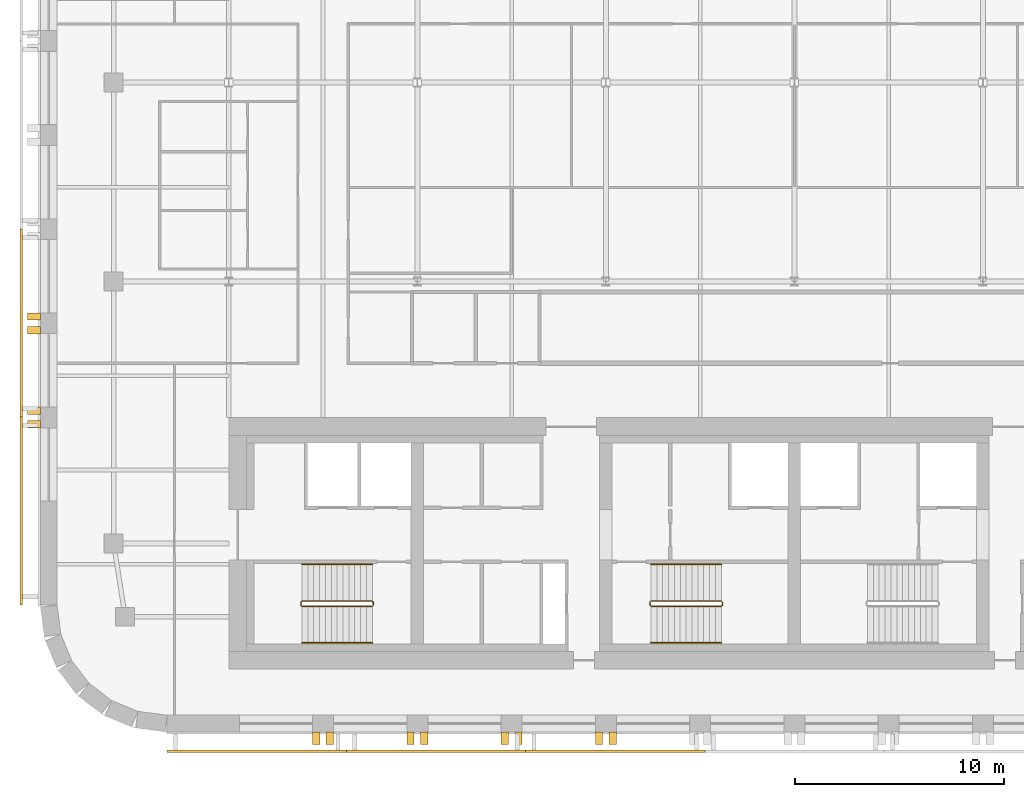
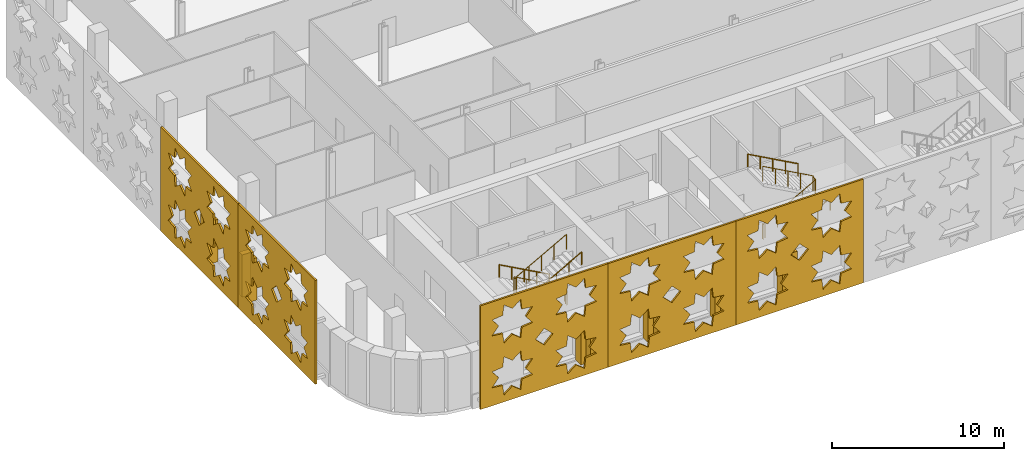
# One storey, part 9 of 12: 17 coverings, 6 railings.
"""IFC4 building model written with IfcOpenShell, lengths in metres."""

from ifc_helpers import new_model, si_unit, direction, frame, origin, origin_2d, place, context, subcontext, project, spatial, polyline, circle, outline, extrude, material, layer, layer_set, type_object, element, save


model = new_model("IFC4")

# Units and contexts
model_context = context("Model", 3, precision=1e-05, world=origin(), true_north=direction((0.0, 1.0)))
body_context = subcontext(model_context, "Body", "Model", "MODEL_VIEW")
ifc_project = project(units=[si_unit("LENGTHUNIT", "METRE"), si_unit("AREAUNIT", "SQUARE_METRE"), si_unit("VOLUMEUNIT", "CUBIC_METRE"), si_unit("PLANEANGLEUNIT", "RADIAN"), si_unit("MASSUNIT", "GRAM", prefix="KILO")], contexts=[model_context])

# Site, building, storey
site_placement = place(None, origin())
site = spatial("IfcSite", under=ifc_project, at=site_placement, CompositionType="ELEMENT")
building_placement = place(site_placement, origin())
building = spatial("IfcBuilding", under=site, at=building_placement, Name="Zellij Exchange Tower", CompositionType="ELEMENT")
storey_placement = place(building_placement, frame((0.0, 0.0, 180.5)))
storey = spatial("IfcBuildingStorey", under=building, at=storey_placement, Name="L41", CompositionType="ELEMENT", Elevation=180.5)

# Railings
ifc_material_1 = material(Name="Stainless steel", Category="steel")
railing_type_1 = type_object("IfcRailingType", Name="CORE-RG stair guard", PredefinedType="GUARDRAIL", material=ifc_material_1)
railing_1_placement = place(storey_placement, frame((-20.10009765625, -10.800048828125, 0.0)))
element("IfcRailing", 1, at=railing_1_placement, inside=storey, type_object=railing_type_1, Name="ST1 stair guard L41", PredefinedType="GUARDRAIL", context=body_context, shape_type="SweptSolid", body=[
    extrude(circle(Radius=0.02392578125, at=origin_2d()), frame((0.0, 0.0, 1.076171875), z_axis=(0.0, -1.0, 0.0), x_axis=(1.0, 0.0, 0.0)), (0.0, 0.0, 1.0), 0.14990234375),
    extrude(circle(Radius=0.02392578125, at=origin_2d()), frame((0.0, -0.14990234375, 1.076171875), z_axis=(-0.193691321961, 0.777613689637, 0.598164376644), x_axis=(-0.970351222016, -0.241699205484, 0.0)), (0.0, 0.0, 1.0), 0.257080078125),
    extrude(circle(Radius=0.02392578125, at=origin_2d()), frame((-0.0498046875, 0.050048828125, 1.22998046875), z_axis=(-0.876421534553, 0.0, 0.481544695509), x_axis=(0.0, -1.0, 0.0)), (0.0, 0.0, 1.0), 3.833984375),
    extrude(circle(Radius=0.02392578125, at=origin_2d()), frame((-3.409912109375, 0.050048828125, 3.076171875), z_axis=(-0.707106781187, -0.707106781187, 0.0), x_axis=(0.707106781187, -0.707106781187, 0.0)), (0.0, 0.0, 1.0), 0.07080078125),
    extrude(circle(Radius=0.02392578125, at=origin_2d()), frame((-3.4599609375, 0.0, 3.076171875), z_axis=(0.0, -1.0, 0.0), x_axis=(1.0, 0.0, 0.0)), (0.0, 0.0, 1.0), 0.14990234375),
    extrude(circle(Radius=0.02392578125, at=origin_2d()), frame((-3.4599609375, -0.14990234375, 3.076171875), z_axis=(0.295599637079, -0.295599637079, 0.908428152975), x_axis=(0.707106781187, 0.707106781187, 0.0)), (0.0, 0.0, 1.0), 0.16943359375),
    extrude(circle(Radius=0.02392578125, at=origin_2d()), frame((-3.409912109375, -0.199951171875, 3.22998046875), z_axis=(0.876421534553, 0.0, 0.481544695509), x_axis=(0.0, 1.0, 0.0)), (0.0, 0.0, 1.0), 3.833984375),
    extrude(circle(Radius=0.02099609375, at=origin_2d()), origin(), (0.0, 0.0, 1.0), 1.052001953125),
    extrude(circle(Radius=0.02099609375, at=origin_2d()), frame((0.0, -0.14990234375, 0.0)), (0.0, 0.0, 1.0), 1.052001953125),
    extrude(circle(Radius=0.02099609375, at=origin_2d()), frame((-0.0498046875, 0.050048828125, 0.15380859375)), (0.0, 0.0, 1.0), 1.052001953125),
    extrude(circle(Radius=0.02099609375, at=origin_2d()), frame((-0.889892578125, 0.050048828125, 0.615234375)), (0.0, 0.0, 1.0), 1.052001953125),
    extrude(circle(Radius=0.02099609375, at=origin_2d()), frame((-1.72998046875, 0.050048828125, 1.076904296875)), (0.0, 0.0, 1.0), 1.052001953125),
    extrude(circle(Radius=0.02099609375, at=origin_2d()), frame((-2.56982421875, 0.050048828125, 1.53857421875)), (0.0, 0.0, 1.0), 1.052001953125),
    extrude(circle(Radius=0.02099609375, at=origin_2d()), frame((-3.409912109375, 0.050048828125, 2.0)), (0.0, 0.0, 1.0), 1.052001953125),
    extrude(circle(Radius=0.02099609375, at=origin_2d()), frame((-3.4599609375, 0.0, 2.0)), (0.0, 0.0, 1.0), 1.052001953125),
    extrude(circle(Radius=0.02099609375, at=origin_2d()), frame((-3.4599609375, -0.14990234375, 2.0)), (0.0, 0.0, 1.0), 1.052001953125),
    extrude(circle(Radius=0.02099609375, at=origin_2d()), frame((-3.409912109375, -0.199951171875, 2.15380859375)), (0.0, 0.0, 1.0), 1.052001953125),
    extrude(circle(Radius=0.02099609375, at=origin_2d()), frame((-2.56982421875, -0.199951171875, 2.615234375)), (0.0, 0.0, 1.0), 1.052001953125),
    extrude(circle(Radius=0.02099609375, at=origin_2d()), frame((-1.72998046875, -0.199951171875, 3.076904296875)), (0.0, 0.0, 1.0), 1.052001953125),
    extrude(circle(Radius=0.02099609375, at=origin_2d()), frame((-0.889892578125, -0.199951171875, 3.53857421875)), (0.0, 0.0, 1.0), 1.052001953125),
    extrude(circle(Radius=0.02099609375, at=origin_2d()), frame((-0.0498046875, -0.199951171875, 4.0)), (0.0, 0.0, 1.0), 1.052001953125),
])
railing_2_placement = place(storey_placement, frame((-6.89990234375, -10.949951171875, 0.0)))
element("IfcRailing", 2, at=railing_2_placement, inside=storey, type_object=railing_type_1, Name="ST2 stair guard L41", PredefinedType="GUARDRAIL", context=body_context, shape_type="SweptSolid", body=[
    extrude(circle(Radius=0.02392578125, at=origin_2d()), frame((0.0, 0.0, 1.076171875), z_axis=(0.0, 1.0, 0.0), x_axis=(-1.0, 0.0, 0.0)), (0.0, 0.0, 1.0), 0.14990234375),
    extrude(circle(Radius=0.02392578125, at=origin_2d()), frame((0.0, 0.14990234375, 1.076171875), z_axis=(0.193691321961, -0.777613689637, 0.598164376644), x_axis=(0.970351222016, 0.241699205484, 0.0)), (0.0, 0.0, 1.0), 0.257080078125),
    extrude(circle(Radius=0.02392578125, at=origin_2d()), frame((0.0498046875, -0.050048828125, 1.22998046875), z_axis=(0.876421534553, 0.0, 0.481544695509), x_axis=(0.0, 1.0, 0.0)), (0.0, 0.0, 1.0), 3.833984375),
    extrude(circle(Radius=0.02392578125, at=origin_2d()), frame((3.409912109375, -0.050048828125, 3.076171875), z_axis=(0.707106781187, 0.707106781187, 0.0), x_axis=(-0.707106781187, 0.707106781187, 0.0)), (0.0, 0.0, 1.0), 0.07080078125),
    extrude(circle(Radius=0.02392578125, at=origin_2d()), frame((3.4599609375, 0.0, 3.076171875), z_axis=(0.0, 1.0, 0.0), x_axis=(-1.0, 0.0, 0.0)), (0.0, 0.0, 1.0), 0.14990234375),
    extrude(circle(Radius=0.02392578125, at=origin_2d()), frame((3.4599609375, 0.14990234375, 3.076171875), z_axis=(-0.295599637079, 0.295599637079, 0.908428152975), x_axis=(-0.707106781187, -0.707106781187, 0.0)), (0.0, 0.0, 1.0), 0.16943359375),
    extrude(circle(Radius=0.02392578125, at=origin_2d()), frame((3.409912109375, 0.199951171875, 3.22998046875), z_axis=(-0.876421534553, 0.0, 0.481544695509), x_axis=(0.0, -1.0, 0.0)), (0.0, 0.0, 1.0), 3.833984375),
    extrude(circle(Radius=0.02099609375, at=origin_2d()), origin(), (0.0, 0.0, 1.0), 1.052001953125),
    extrude(circle(Radius=0.02099609375, at=origin_2d()), frame((0.0, 0.14990234375, 0.0)), (0.0, 0.0, 1.0), 1.052001953125),
    extrude(circle(Radius=0.02099609375, at=origin_2d()), frame((0.0498046875, -0.050048828125, 0.15380859375)), (0.0, 0.0, 1.0), 1.052001953125),
    extrude(circle(Radius=0.02099609375, at=origin_2d()), frame((0.889892578125, -0.050048828125, 0.615234375)), (0.0, 0.0, 1.0), 1.052001953125),
    extrude(circle(Radius=0.02099609375, at=origin_2d()), frame((1.72998046875, -0.050048828125, 1.076904296875)), (0.0, 0.0, 1.0), 1.052001953125),
    extrude(circle(Radius=0.02099609375, at=origin_2d()), frame((2.56982421875, -0.050048828125, 1.53857421875)), (0.0, 0.0, 1.0), 1.052001953125),
    extrude(circle(Radius=0.02099609375, at=origin_2d()), frame((3.409912109375, -0.050048828125, 2.0)), (0.0, 0.0, 1.0), 1.052001953125),
    extrude(circle(Radius=0.02099609375, at=origin_2d()), frame((3.4599609375, 0.0, 2.0)), (0.0, 0.0, 1.0), 1.052001953125),
    extrude(circle(Radius=0.02099609375, at=origin_2d()), frame((3.4599609375, 0.14990234375, 2.0)), (0.0, 0.0, 1.0), 1.052001953125),
    extrude(circle(Radius=0.02099609375, at=origin_2d()), frame((3.409912109375, 0.199951171875, 2.15380859375)), (0.0, 0.0, 1.0), 1.052001953125),
    extrude(circle(Radius=0.02099609375, at=origin_2d()), frame((2.56982421875, 0.199951171875, 2.615234375)), (0.0, 0.0, 1.0), 1.052001953125),
    extrude(circle(Radius=0.02099609375, at=origin_2d()), frame((1.72998046875, 0.199951171875, 3.076904296875)), (0.0, 0.0, 1.0), 1.052001953125),
    extrude(circle(Radius=0.02099609375, at=origin_2d()), frame((0.889892578125, 0.199951171875, 3.53857421875)), (0.0, 0.0, 1.0), 1.052001953125),
    extrude(circle(Radius=0.02099609375, at=origin_2d()), frame((0.0498046875, 0.199951171875, 4.0)), (0.0, 0.0, 1.0), 1.052001953125),
])
railing_type_2 = type_object("IfcRailingType", Name="CORE-RH stair handrail", PredefinedType="HANDRAIL", material=ifc_material_1)
railing_3_placement = place(storey_placement, frame((-20.14990234375, -9.0, 0.15380859375)))
element("IfcRailing", 3, at=railing_3_placement, inside=storey, type_object=railing_type_2, Name="ST1 stair handrail L41", PredefinedType="HANDRAIL", context=body_context, shape_type="SweptSolid", body=[
    extrude(circle(Radius=0.02392578125, at=origin_2d()), frame((0.0, 0.0, 0.8759765625), z_axis=(-0.876421534553, 0.0, 0.481544695509), x_axis=(0.0, -1.0, 0.0)), (0.0, 0.0, 1.0), 3.833984375),
    extrude(circle(Radius=0.02099609375, at=origin_2d()), origin(), (0.0, 0.0, 1.0), 0.851806640625),
    extrude(circle(Radius=0.02099609375, at=origin_2d()), frame((-0.840087890625, 0.0, 0.46142578125)), (0.0, 0.0, 1.0), 0.851806640625),
    extrude(circle(Radius=0.02099609375, at=origin_2d()), frame((-1.68017578125, 0.0, 0.923095703125)), (0.0, 0.0, 1.0), 0.851806640625),
    extrude(circle(Radius=0.02099609375, at=origin_2d()), frame((-2.52001953125, 0.0, 1.384765625)), (0.0, 0.0, 1.0), 0.851806640625),
    extrude(circle(Radius=0.02099609375, at=origin_2d()), frame((-3.360107421875, 0.0, 1.84619140625)), (0.0, 0.0, 1.0), 0.851806640625),
])
for number, where, name in (
    (4, (-23.510009765625, -12.75, 2.15380859375), "ST1 stair handrail L41"),
    (5, (-6.85009765625, -12.75, 0.15380859375), "ST2 stair handrail L41"),
):
    element("IfcRailing", number, at=place(storey_placement, frame(where)), inside=storey, type_object=railing_type_2, Name=name, PredefinedType="HANDRAIL", context=body_context, shape_type="SweptSolid", body=[
        extrude(circle(Radius=0.02392578125, at=origin_2d()), frame((0.0, 0.0, 0.8759765625), z_axis=(0.876421534553, 0.0, 0.481544695509), x_axis=(0.0, 1.0, 0.0)), (0.0, 0.0, 1.0), 3.833984375),
        extrude(circle(Radius=0.02099609375, at=origin_2d()), origin(), (0.0, 0.0, 1.0), 0.851806640625),
        extrude(circle(Radius=0.02099609375, at=origin_2d()), frame((0.840087890625, 0.0, 0.46142578125)), (0.0, 0.0, 1.0), 0.851806640625),
        extrude(circle(Radius=0.02099609375, at=origin_2d()), frame((1.68017578125, 0.0, 0.923095703125)), (0.0, 0.0, 1.0), 0.851806640625),
        extrude(circle(Radius=0.02099609375, at=origin_2d()), frame((2.52001953125, 0.0, 1.384765625)), (0.0, 0.0, 1.0), 0.851806640625),
        extrude(circle(Radius=0.02099609375, at=origin_2d()), frame((3.360107421875, 0.0, 1.84619140625)), (0.0, 0.0, 1.0), 0.851806640625),
    ])
railing_4_placement = place(storey_placement, frame((-3.489990234375, -9.0, 2.15380859375)))
element("IfcRailing", 6, at=railing_4_placement, inside=storey, type_object=railing_type_2, Name="ST2 stair handrail L41", PredefinedType="HANDRAIL", context=body_context, shape_type="SweptSolid", body=[
    extrude(circle(Radius=0.02392578125, at=origin_2d()), frame((0.0, 0.0, 0.8759765625), z_axis=(-0.876421534553, 0.0, 0.481544695509), x_axis=(0.0, -1.0, 0.0)), (0.0, 0.0, 1.0), 3.833984375),
    extrude(circle(Radius=0.02099609375, at=origin_2d()), origin(), (0.0, 0.0, 1.0), 0.851806640625),
    extrude(circle(Radius=0.02099609375, at=origin_2d()), frame((-0.840087890625, 0.0, 0.46142578125)), (0.0, 0.0, 1.0), 0.851806640625),
    extrude(circle(Radius=0.02099609375, at=origin_2d()), frame((-1.68017578125, 0.0, 0.923095703125)), (0.0, 0.0, 1.0), 0.851806640625),
    extrude(circle(Radius=0.02099609375, at=origin_2d()), frame((-2.52001953125, 0.0, 1.384765625)), (0.0, 0.0, 1.0), 0.851806640625),
    extrude(circle(Radius=0.02099609375, at=origin_2d()), frame((-3.360107421875, 0.0, 1.84619140625)), (0.0, 0.0, 1.0), 0.851806640625),
])

# Coverings
ifc_material_2 = material(Name="Limestone cladding", Category="masonry")
covering_type_1 = type_object("IfcCoveringType", Name="ENV-CV3 Stone pier 350x600", PredefinedType="CLADDING", material=ifc_material_2)
covering_1_placement = place(storey_placement, frame((0.0, 0.0, 0.800048828125)))
element("IfcCovering", 7, at=covering_1_placement, inside=storey, type_object=covering_type_1, Name="Stone pier", PredefinedType="CLADDING", context=body_context, shape_type="SweptSolid", body=[
    extrude(outline(polyline([(-23.0, -17.0), (-22.64990234375, -17.0), (-22.64990234375, -17.60009765625), (-23.0, -17.60009765625), (-23.0, -17.0)])), origin(), (0.0, 0.0, 1.0), 3.0),
])
covering_2_placement = place(storey_placement, frame((0.0, 0.0, 0.800048828125)))
element("IfcCovering", 8, at=covering_2_placement, inside=storey, type_object=covering_type_1, Name="Stone pier", PredefinedType="CLADDING", context=body_context, shape_type="SweptSolid", body=[
    extrude(outline(polyline([(-22.35009765625, -17.0), (-22.0, -17.0), (-22.0, -17.60009765625), (-22.35009765625, -17.60009765625), (-22.35009765625, -17.0)])), origin(), (0.0, 0.0, 1.0), 3.0),
])
covering_3_placement = place(storey_placement, frame((0.0, 0.0, 0.800048828125)))
element("IfcCovering", 9, at=covering_3_placement, inside=storey, type_object=covering_type_1, Name="Stone pier", PredefinedType="CLADDING", context=body_context, shape_type="SweptSolid", body=[
    extrude(outline(polyline([(-18.5, -17.0), (-18.14990234375, -17.0), (-18.14990234375, -17.60009765625), (-18.5, -17.60009765625), (-18.5, -17.0)])), origin(), (0.0, 0.0, 1.0), 3.0),
])
covering_4_placement = place(storey_placement, frame((0.0, 0.0, 0.800048828125)))
element("IfcCovering", 10, at=covering_4_placement, inside=storey, type_object=covering_type_1, Name="Stone pier", PredefinedType="CLADDING", context=body_context, shape_type="SweptSolid", body=[
    extrude(outline(polyline([(-17.85009765625, -17.0), (-17.5, -17.0), (-17.5, -17.60009765625), (-17.85009765625, -17.60009765625), (-17.85009765625, -17.0)])), origin(), (0.0, 0.0, 1.0), 3.0),
])
covering_5_placement = place(storey_placement, frame((0.0, 0.0, 0.800048828125)))
element("IfcCovering", 11, at=covering_5_placement, inside=storey, type_object=covering_type_1, Name="Stone pier", PredefinedType="CLADDING", context=body_context, shape_type="SweptSolid", body=[
    extrude(outline(polyline([(-14.0, -17.0), (-13.64990234375, -17.0), (-13.64990234375, -17.60009765625), (-14.0, -17.60009765625), (-14.0, -17.0)])), origin(), (0.0, 0.0, 1.0), 3.0),
])
covering_6_placement = place(storey_placement, frame((0.0, 0.0, 0.800048828125)))
element("IfcCovering", 12, at=covering_6_placement, inside=storey, type_object=covering_type_1, Name="Stone pier", PredefinedType="CLADDING", context=body_context, shape_type="SweptSolid", body=[
    extrude(outline(polyline([(-13.35009765625, -17.0), (-13.0, -17.0), (-13.0, -17.60009765625), (-13.35009765625, -17.60009765625), (-13.35009765625, -17.0)])), origin(), (0.0, 0.0, 1.0), 3.0),
])
covering_7_placement = place(storey_placement, frame((0.0, 0.0, 0.800048828125)))
element("IfcCovering", 13, at=covering_7_placement, inside=storey, type_object=covering_type_1, Name="Stone pier", PredefinedType="CLADDING", context=body_context, shape_type="SweptSolid", body=[
    extrude(outline(polyline([(-9.5, -17.0), (-9.14990234375, -17.0), (-9.14990234375, -17.60009765625), (-9.5, -17.60009765625), (-9.5, -17.0)])), origin(), (0.0, 0.0, 1.0), 3.0),
])
covering_8_placement = place(storey_placement, frame((0.0, 0.0, 0.800048828125)))
element("IfcCovering", 14, at=covering_8_placement, inside=storey, type_object=covering_type_1, Name="Stone pier", PredefinedType="CLADDING", context=body_context, shape_type="SweptSolid", body=[
    extrude(outline(polyline([(-8.85009765625, -17.0), (-8.5, -17.0), (-8.5, -17.60009765625), (-8.85009765625, -17.60009765625), (-8.85009765625, -17.0)])), origin(), (0.0, 0.0, 1.0), 3.0),
])
covering_9_placement = place(storey_placement, frame((0.0, 0.0, 0.800048828125)))
element("IfcCovering", 15, at=covering_9_placement, inside=storey, type_object=covering_type_1, Name="Stone pier", PredefinedType="CLADDING", context=body_context, shape_type="SweptSolid", body=[
    extrude(outline(polyline([(-36.0, 3.006591796875), (-36.0, 2.656494140625), (-36.60009765625, 2.656494140625), (-36.60009765625, 3.006591796875), (-36.0, 3.006591796875)])), origin(), (0.0, 0.0, 1.0), 3.0),
])
covering_10_placement = place(storey_placement, frame((0.0, 0.0, 0.800048828125)))
element("IfcCovering", 16, at=covering_10_placement, inside=storey, type_object=covering_type_1, Name="Stone pier", PredefinedType="CLADDING", context=body_context, shape_type="SweptSolid", body=[
    extrude(outline(polyline([(-36.0, 2.356689453125), (-36.0, 2.006591796875), (-36.60009765625, 2.006591796875), (-36.60009765625, 2.356689453125), (-36.0, 2.356689453125)])), origin(), (0.0, 0.0, 1.0), 3.0),
])
covering_11_placement = place(storey_placement, frame((0.0, 0.0, 0.800048828125)))
element("IfcCovering", 17, at=covering_11_placement, inside=storey, type_object=covering_type_1, Name="Stone pier", PredefinedType="CLADDING", context=body_context, shape_type="SweptSolid", body=[
    extrude(outline(polyline([(-36.0, -1.48681640625), (-36.0, -1.8369140625), (-36.60009765625, -1.8369140625), (-36.60009765625, -1.48681640625), (-36.0, -1.48681640625)])), origin(), (0.0, 0.0, 1.0), 3.0),
])
covering_12_placement = place(storey_placement, frame((0.0, 0.0, 0.800048828125)))
element("IfcCovering", 18, at=covering_12_placement, inside=storey, type_object=covering_type_1, Name="Stone pier", PredefinedType="CLADDING", context=body_context, shape_type="SweptSolid", body=[
    extrude(outline(polyline([(-36.0, -2.136962890625), (-36.0, -2.48681640625), (-36.60009765625, -2.48681640625), (-36.60009765625, -2.136962890625), (-36.0, -2.136962890625)])), origin(), (0.0, 0.0, 1.0), 3.0),
])
ifc_material_3 = material(Name="Limestone screen", Category="masonry")
ifc_layer = layer(ifc_material_3, 0.1201171875)
ifc_layer_set = layer_set([ifc_layer], Name="Limestone screen")
covering_type_2 = type_object("IfcCoveringType", Name="ENV-SC1 Pierced stone screen 120", PredefinedType="USERDEFINED", material=ifc_layer_set)
covering_13_placement = place(storey_placement, frame((-36.909912109375, 7.0, 0.300048828125), z_axis=(0.0, 0.0, 1.0), x_axis=(0.0, -1.0, 0.0)))
element("IfcCovering", 19, at=covering_13_placement, inside=storey, type_object=covering_type_2, Name="Pierced stone screen", ObjectType="SCREEN", PredefinedType="USERDEFINED", context=body_context, shape_type="SweptSolid", body=[
    extrude(outline(polyline([(0.0, 0.0), (8.973876953125, 0.0), (8.973876953125, 7.35009765625), (0.0, 7.35009765625), (0.0, 0.0)]), holes=[polyline([(3.6015625, 2.39990234375), (2.887939453125, 2.48193359375), (2.805908203125, 3.195556640625), (2.243408203125, 2.748779296875), (1.680908203125, 3.195556640625), (1.59912109375, 2.48193359375), (0.88525390625, 2.39990234375), (1.33203125, 1.83740234375), (0.88525390625, 1.27490234375), (1.59912109375, 1.193115234375), (1.680908203125, 0.4794921875), (2.243408203125, 0.926025390625), (2.805908203125, 0.4794921875), (2.887939453125, 1.193115234375), (3.6015625, 1.27490234375), (3.15478515625, 1.83740234375), (3.6015625, 2.39990234375)]), polyline([(3.6015625, 6.074951171875), (2.887939453125, 6.156982421875), (2.805908203125, 6.87060546875), (2.243408203125, 6.423828125), (1.680908203125, 6.87060546875), (1.59912109375, 6.156982421875), (0.88525390625, 6.074951171875), (1.33203125, 5.512451171875), (0.88525390625, 4.949951171875), (1.59912109375, 4.867919921875), (1.680908203125, 4.154296875), (2.243408203125, 4.60107421875), (2.805908203125, 4.154296875), (2.887939453125, 4.867919921875), (3.6015625, 4.949951171875), (3.15478515625, 5.512451171875), (3.6015625, 6.074951171875)]), polyline([(8.08837890625, 2.39990234375), (7.374755859375, 2.48193359375), (7.29296875, 3.195556640625), (6.730224609375, 2.748779296875), (6.167724609375, 3.195556640625), (6.0859375, 2.48193359375), (5.372314453125, 2.39990234375), (5.81884765625, 1.83740234375), (5.372314453125, 1.27490234375), (6.0859375, 1.193115234375), (6.167724609375, 0.4794921875), (6.730224609375, 0.926025390625), (7.29296875, 0.4794921875), (7.374755859375, 1.193115234375), (8.08837890625, 1.27490234375), (7.6416015625, 1.83740234375), (8.08837890625, 2.39990234375)]), polyline([(8.08837890625, 6.074951171875), (7.374755859375, 6.156982421875), (7.29296875, 6.87060546875), (6.730224609375, 6.423828125), (6.167724609375, 6.87060546875), (6.0859375, 6.156982421875), (5.372314453125, 6.074951171875), (5.81884765625, 5.512451171875), (5.372314453125, 4.949951171875), (6.0859375, 4.867919921875), (6.167724609375, 4.154296875), (6.730224609375, 4.60107421875), (7.29296875, 4.154296875), (7.374755859375, 4.867919921875), (8.08837890625, 4.949951171875), (7.6416015625, 5.512451171875), (8.08837890625, 6.074951171875)]), polyline([(5.074951171875, 3.675048828125), (4.48681640625, 4.262939453125), (3.89892578125, 3.675048828125), (4.48681640625, 3.0869140625), (5.074951171875, 3.675048828125)])]), frame((0.0, 0.06005859375, 0.0), z_axis=(0.0, -1.0, 0.0), x_axis=(1.0, 0.0, 0.0)), (0.0, 0.0, 1.0), 0.1201171875),
])
covering_14_placement = place(storey_placement, frame((-36.909912109375, -1.973876953125, 0.300048828125), z_axis=(0.0, 0.0, 1.0), x_axis=(0.0, -1.0, 0.0)))
element("IfcCovering", 20, at=covering_14_placement, inside=storey, type_object=covering_type_2, Name="Pierced stone screen", ObjectType="SCREEN", PredefinedType="USERDEFINED", context=body_context, shape_type="SweptSolid", body=[
    extrude(outline(polyline([(0.0, 0.0), (8.973876953125, 0.0), (8.973876953125, 7.35009765625), (0.0, 7.35009765625), (0.0, 0.0)]), holes=[polyline([(3.6015625, 2.39990234375), (2.887939453125, 2.48193359375), (2.805908203125, 3.195556640625), (2.243408203125, 2.748779296875), (1.680908203125, 3.195556640625), (1.59912109375, 2.48193359375), (0.88525390625, 2.39990234375), (1.33203125, 1.83740234375), (0.88525390625, 1.27490234375), (1.59912109375, 1.193115234375), (1.680908203125, 0.4794921875), (2.243408203125, 0.926025390625), (2.805908203125, 0.4794921875), (2.887939453125, 1.193115234375), (3.6015625, 1.27490234375), (3.15478515625, 1.83740234375), (3.6015625, 2.39990234375)]), polyline([(3.6015625, 6.074951171875), (2.887939453125, 6.156982421875), (2.805908203125, 6.87060546875), (2.243408203125, 6.423828125), (1.680908203125, 6.87060546875), (1.59912109375, 6.156982421875), (0.88525390625, 6.074951171875), (1.33203125, 5.512451171875), (0.88525390625, 4.949951171875), (1.59912109375, 4.867919921875), (1.680908203125, 4.154296875), (2.243408203125, 4.60107421875), (2.805908203125, 4.154296875), (2.887939453125, 4.867919921875), (3.6015625, 4.949951171875), (3.15478515625, 5.512451171875), (3.6015625, 6.074951171875)]), polyline([(8.08837890625, 2.39990234375), (7.374755859375, 2.48193359375), (7.29296875, 3.195556640625), (6.730224609375, 2.748779296875), (6.167724609375, 3.195556640625), (6.0859375, 2.48193359375), (5.372314453125, 2.39990234375), (5.81884765625, 1.83740234375), (5.372314453125, 1.27490234375), (6.0859375, 1.193115234375), (6.167724609375, 0.4794921875), (6.730224609375, 0.926025390625), (7.29296875, 0.4794921875), (7.374755859375, 1.193115234375), (8.08837890625, 1.27490234375), (7.6416015625, 1.83740234375), (8.08837890625, 2.39990234375)]), polyline([(8.08837890625, 6.074951171875), (7.374755859375, 6.156982421875), (7.29296875, 6.87060546875), (6.730224609375, 6.423828125), (6.167724609375, 6.87060546875), (6.0859375, 6.156982421875), (5.372314453125, 6.074951171875), (5.81884765625, 5.512451171875), (5.372314453125, 4.949951171875), (6.0859375, 4.867919921875), (6.167724609375, 4.154296875), (6.730224609375, 4.60107421875), (7.29296875, 4.154296875), (7.374755859375, 4.867919921875), (8.08837890625, 4.949951171875), (7.6416015625, 5.512451171875), (8.08837890625, 6.074951171875)]), polyline([(5.074951171875, 3.675048828125), (4.48681640625, 4.262939453125), (3.89892578125, 3.675048828125), (4.48681640625, 3.0869140625), (5.074951171875, 3.675048828125)])]), frame((0.0, 0.06005859375, 0.0), z_axis=(0.0, -1.0, 0.0), x_axis=(1.0, 0.0, 0.0)), (0.0, 0.0, 1.0), 0.1201171875),
])
covering_15_placement = place(storey_placement, frame((-29.947509765625, -17.909912109375, 0.300048828125), z_axis=(0.0, 0.0, 1.0), x_axis=(1.0, 0.0, 0.0)))
element("IfcCovering", 21, at=covering_15_placement, inside=storey, type_object=covering_type_2, Name="Pierced stone screen", ObjectType="SCREEN", PredefinedType="USERDEFINED", context=body_context, shape_type="SweptSolid", body=[
    extrude(outline(polyline([(0.0, 0.0), (8.556396484375, 0.0), (8.556396484375, 7.35009765625), (0.0, 7.35009765625), (0.0, 0.0)]), holes=[polyline([(3.497314453125, 2.39990234375), (2.78369140625, 2.48193359375), (2.70166015625, 3.195556640625), (2.13916015625, 2.748779296875), (1.57666015625, 3.195556640625), (1.49462890625, 2.48193359375), (0.781005859375, 2.39990234375), (1.227783203125, 1.83740234375), (0.781005859375, 1.27490234375), (1.49462890625, 1.193115234375), (1.57666015625, 0.4794921875), (2.13916015625, 0.926025390625), (2.70166015625, 0.4794921875), (2.78369140625, 1.193115234375), (3.497314453125, 1.27490234375), (3.050537109375, 1.83740234375), (3.497314453125, 2.39990234375)]), polyline([(3.497314453125, 6.074951171875), (2.78369140625, 6.156982421875), (2.70166015625, 6.87060546875), (2.13916015625, 6.423828125), (1.57666015625, 6.87060546875), (1.49462890625, 6.156982421875), (0.781005859375, 6.074951171875), (1.227783203125, 5.512451171875), (0.781005859375, 4.949951171875), (1.49462890625, 4.867919921875), (1.57666015625, 4.154296875), (2.13916015625, 4.60107421875), (2.70166015625, 4.154296875), (2.78369140625, 4.867919921875), (3.497314453125, 4.949951171875), (3.050537109375, 5.512451171875), (3.497314453125, 6.074951171875)]), polyline([(7.775390625, 2.39990234375), (7.061767578125, 2.48193359375), (6.97998046875, 3.195556640625), (6.417236328125, 2.748779296875), (5.854736328125, 3.195556640625), (5.77294921875, 2.48193359375), (5.05908203125, 2.39990234375), (5.505859375, 1.83740234375), (5.05908203125, 1.27490234375), (5.77294921875, 1.193115234375), (5.854736328125, 0.4794921875), (6.417236328125, 0.926025390625), (6.97998046875, 0.4794921875), (7.061767578125, 1.193115234375), (7.775390625, 1.27490234375), (7.32861328125, 1.83740234375), (7.775390625, 2.39990234375)]), polyline([(7.775390625, 6.074951171875), (7.061767578125, 6.156982421875), (6.97998046875, 6.87060546875), (6.417236328125, 6.423828125), (5.854736328125, 6.87060546875), (5.77294921875, 6.156982421875), (5.05908203125, 6.074951171875), (5.505859375, 5.512451171875), (5.05908203125, 4.949951171875), (5.77294921875, 4.867919921875), (5.854736328125, 4.154296875), (6.417236328125, 4.60107421875), (6.97998046875, 4.154296875), (7.061767578125, 4.867919921875), (7.775390625, 4.949951171875), (7.32861328125, 5.512451171875), (7.775390625, 6.074951171875)]), polyline([(4.8662109375, 3.675048828125), (4.2783203125, 4.262939453125), (3.690185546875, 3.675048828125), (4.2783203125, 3.0869140625), (4.8662109375, 3.675048828125)])]), frame((0.0, 0.06005859375, 0.0), z_axis=(0.0, -1.0, 0.0), x_axis=(1.0, 0.0, 0.0)), (0.0, 0.0, 1.0), 0.1201171875),
])
covering_16_placement = place(storey_placement, frame((-21.39111328125, -17.909912109375, 0.300048828125), z_axis=(0.0, 0.0, 1.0), x_axis=(1.0, 0.0, 0.0)))
element("IfcCovering", 22, at=covering_16_placement, inside=storey, type_object=covering_type_2, Name="Pierced stone screen", ObjectType="SCREEN", PredefinedType="USERDEFINED", context=body_context, shape_type="SweptSolid", body=[
    extrude(outline(polyline([(0.0, 0.0), (8.556396484375, 0.0), (8.556396484375, 7.35009765625), (0.0, 7.35009765625), (0.0, 0.0)]), holes=[polyline([(3.497314453125, 2.39990234375), (2.78369140625, 2.48193359375), (2.70166015625, 3.195556640625), (2.13916015625, 2.748779296875), (1.57666015625, 3.195556640625), (1.49462890625, 2.48193359375), (0.781005859375, 2.39990234375), (1.227783203125, 1.83740234375), (0.781005859375, 1.27490234375), (1.49462890625, 1.193115234375), (1.57666015625, 0.4794921875), (2.13916015625, 0.926025390625), (2.70166015625, 0.4794921875), (2.78369140625, 1.193115234375), (3.497314453125, 1.27490234375), (3.050537109375, 1.83740234375), (3.497314453125, 2.39990234375)]), polyline([(3.497314453125, 6.074951171875), (2.78369140625, 6.156982421875), (2.70166015625, 6.87060546875), (2.13916015625, 6.423828125), (1.57666015625, 6.87060546875), (1.49462890625, 6.156982421875), (0.781005859375, 6.074951171875), (1.227783203125, 5.512451171875), (0.781005859375, 4.949951171875), (1.49462890625, 4.867919921875), (1.57666015625, 4.154296875), (2.13916015625, 4.60107421875), (2.70166015625, 4.154296875), (2.78369140625, 4.867919921875), (3.497314453125, 4.949951171875), (3.050537109375, 5.512451171875), (3.497314453125, 6.074951171875)]), polyline([(7.775390625, 2.39990234375), (7.061767578125, 2.48193359375), (6.97998046875, 3.195556640625), (6.417236328125, 2.748779296875), (5.854736328125, 3.195556640625), (5.77294921875, 2.48193359375), (5.05908203125, 2.39990234375), (5.505859375, 1.83740234375), (5.05908203125, 1.27490234375), (5.77294921875, 1.193115234375), (5.854736328125, 0.4794921875), (6.417236328125, 0.926025390625), (6.97998046875, 0.4794921875), (7.061767578125, 1.193115234375), (7.775390625, 1.27490234375), (7.32861328125, 1.83740234375), (7.775390625, 2.39990234375)]), polyline([(7.775390625, 6.074951171875), (7.061767578125, 6.156982421875), (6.97998046875, 6.87060546875), (6.417236328125, 6.423828125), (5.854736328125, 6.87060546875), (5.77294921875, 6.156982421875), (5.05908203125, 6.074951171875), (5.505859375, 5.512451171875), (5.05908203125, 4.949951171875), (5.77294921875, 4.867919921875), (5.854736328125, 4.154296875), (6.417236328125, 4.60107421875), (6.97998046875, 4.154296875), (7.061767578125, 4.867919921875), (7.775390625, 4.949951171875), (7.32861328125, 5.512451171875), (7.775390625, 6.074951171875)]), polyline([(4.8662109375, 3.675048828125), (4.2783203125, 4.262939453125), (3.690185546875, 3.675048828125), (4.2783203125, 3.0869140625), (4.8662109375, 3.675048828125)])]), frame((0.0, 0.06005859375, 0.0), z_axis=(0.0, -1.0, 0.0), x_axis=(1.0, 0.0, 0.0)), (0.0, 0.0, 1.0), 0.1201171875),
])
covering_17_placement = place(storey_placement, frame((-12.834716796875, -17.909912109375, 0.300048828125), z_axis=(0.0, 0.0, 1.0), x_axis=(1.0, 0.0, 0.0)))
element("IfcCovering", 23, at=covering_17_placement, inside=storey, type_object=covering_type_2, Name="Pierced stone screen", ObjectType="SCREEN", PredefinedType="USERDEFINED", context=body_context, shape_type="SweptSolid", body=[
    extrude(outline(polyline([(0.0, 0.0), (8.556396484375, 0.0), (8.556396484375, 7.35009765625), (0.0, 7.35009765625), (0.0, 0.0)]), holes=[polyline([(3.497314453125, 2.39990234375), (2.78369140625, 2.48193359375), (2.70166015625, 3.195556640625), (2.13916015625, 2.748779296875), (1.57666015625, 3.195556640625), (1.49462890625, 2.48193359375), (0.781005859375, 2.39990234375), (1.227783203125, 1.83740234375), (0.781005859375, 1.27490234375), (1.49462890625, 1.193115234375), (1.57666015625, 0.4794921875), (2.13916015625, 0.926025390625), (2.70166015625, 0.4794921875), (2.78369140625, 1.193115234375), (3.497314453125, 1.27490234375), (3.050537109375, 1.83740234375), (3.497314453125, 2.39990234375)]), polyline([(3.497314453125, 6.074951171875), (2.78369140625, 6.156982421875), (2.70166015625, 6.87060546875), (2.13916015625, 6.423828125), (1.57666015625, 6.87060546875), (1.49462890625, 6.156982421875), (0.781005859375, 6.074951171875), (1.227783203125, 5.512451171875), (0.781005859375, 4.949951171875), (1.49462890625, 4.867919921875), (1.57666015625, 4.154296875), (2.13916015625, 4.60107421875), (2.70166015625, 4.154296875), (2.78369140625, 4.867919921875), (3.497314453125, 4.949951171875), (3.050537109375, 5.512451171875), (3.497314453125, 6.074951171875)]), polyline([(7.775390625, 2.39990234375), (7.061767578125, 2.48193359375), (6.97998046875, 3.195556640625), (6.417236328125, 2.748779296875), (5.854736328125, 3.195556640625), (5.77294921875, 2.48193359375), (5.05908203125, 2.39990234375), (5.505859375, 1.83740234375), (5.05908203125, 1.27490234375), (5.77294921875, 1.193115234375), (5.854736328125, 0.4794921875), (6.417236328125, 0.926025390625), (6.97998046875, 0.4794921875), (7.061767578125, 1.193115234375), (7.775390625, 1.27490234375), (7.32861328125, 1.83740234375), (7.775390625, 2.39990234375)]), polyline([(7.775390625, 6.074951171875), (7.061767578125, 6.156982421875), (6.97998046875, 6.87060546875), (6.417236328125, 6.423828125), (5.854736328125, 6.87060546875), (5.77294921875, 6.156982421875), (5.05908203125, 6.074951171875), (5.505859375, 5.512451171875), (5.05908203125, 4.949951171875), (5.77294921875, 4.867919921875), (5.854736328125, 4.154296875), (6.417236328125, 4.60107421875), (6.97998046875, 4.154296875), (7.061767578125, 4.867919921875), (7.775390625, 4.949951171875), (7.32861328125, 5.512451171875), (7.775390625, 6.074951171875)]), polyline([(4.8662109375, 3.675048828125), (4.2783203125, 4.262939453125), (3.690185546875, 3.675048828125), (4.2783203125, 3.0869140625), (4.8662109375, 3.675048828125)])]), frame((0.0, 0.06005859375, 0.0), z_axis=(0.0, -1.0, 0.0), x_axis=(1.0, 0.0, 0.0)), (0.0, 0.0, 1.0), 0.1201171875),
])

save(model, "model.ifc")
